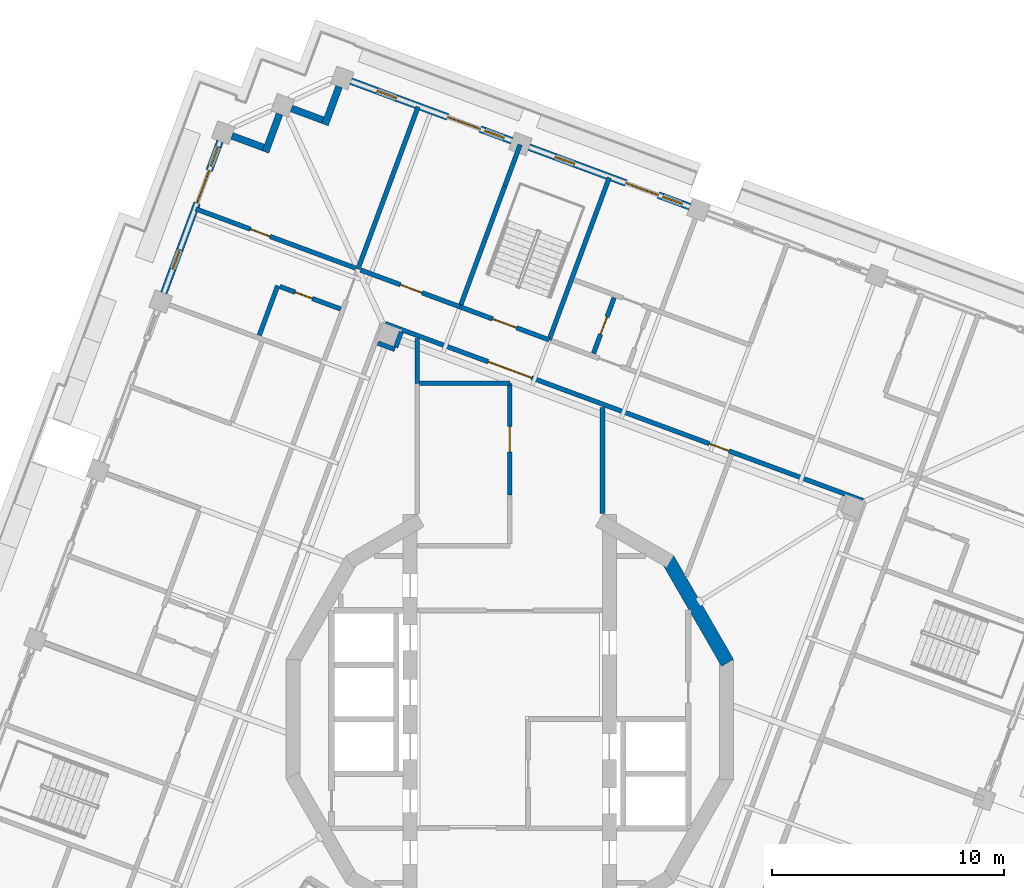
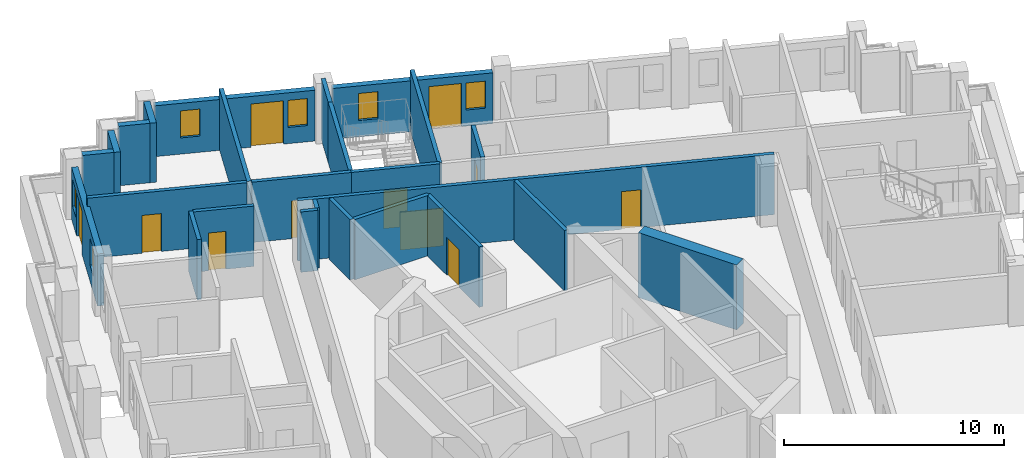
# One storey, part 8 of 19: 25 walls, 11 doors, 6 windows, 17 openings.
"""IFC4 building model written with IfcOpenShell, lengths in metres."""

from ifc_helpers import new_model, si_unit, direction, frame, frame_2d, origin, place, context, subcontext, project, spatial, rectangle, extrude, material, layer, layer_set, type_object, element, fill, save


model = new_model("IFC4")

# Units and contexts
model_context = context("Model", 3, precision=1e-05, world=origin(), true_north=direction((0.0, 1.0)))
body_context = subcontext(model_context, "Body", "Model", "MODEL_VIEW")
ifc_project = project(units=[si_unit("LENGTHUNIT", "METRE"), si_unit("AREAUNIT", "SQUARE_METRE"), si_unit("VOLUMEUNIT", "CUBIC_METRE"), si_unit("PLANEANGLEUNIT", "RADIAN"), si_unit("MASSUNIT", "GRAM", prefix="KILO")], contexts=[model_context])

# Site, building, storey
site_placement = place(None, origin())
site = spatial("IfcSite", under=ifc_project, at=site_placement, CompositionType="ELEMENT")
building_placement = place(site_placement, origin())
building = spatial("IfcBuilding", under=site, at=building_placement, Name="Cantera Rosa Tower", CompositionType="ELEMENT")
storey_placement = place(building_placement, frame((0.0, 0.0, 327.699951171875)))
storey = spatial("IfcBuildingStorey", under=building, at=storey_placement, Name="L73", CompositionType="ELEMENT", Elevation=327.699951171875)

# Wall
ifc_material_1 = material(Name="Gypsum board partition")
ifc_layer_1 = layer(ifc_material_1, 0.199951171875)
ifc_layer_set_1 = layer_set([ifc_layer_1], Name="CORRIDOR WALL 200 H3350")
wall_type_1 = type_object("IfcWallType", Name="CORRIDOR WALL 200 H3350", PredefinedType="PARTITIONING", material=ifc_layer_set_1)
wall_1_placement = place(storey_placement, frame((-4.0, 16.4326171875, 0.0), z_axis=(0.0, 0.0, 1.0), x_axis=(0.0, -1.0, 0.0)))
element("IfcWall", 1, at=wall_1_placement, inside=storey, type_object=wall_type_1, Name="CORRIDOR WALL L73-054", PredefinedType="PARTITIONING", context=body_context, shape_type="SweptSolid", body=[
    extrude(rectangle(XDim=1.9326171875, YDim=0.199951171875, at=frame_2d((0.96630859375, 0.0))), origin(), (0.0, 0.0, 1.0), 3.35009765625),
])

# Wall, opening, door
wall_2_placement = place(storey_placement, frame((-2.146728515625, 17.805419921875, 0.0), z_axis=(0.0, 0.0, 1.0), x_axis=(-0.937682514707, 0.347493167721, 0.0)))
wall_2 = element("IfcWall", 2, at=wall_2_placement, inside=storey, type_object=wall_type_1, Name="CORRIDOR WALL L73-060", PredefinedType="PARTITIONING", context=body_context, shape_type="SweptSolid", body=[
    extrude(rectangle(XDim=4.580078125, YDim=0.199951171875, at=frame_2d((2.2900390625, 0.0))), origin(), (0.0, 0.0, 1.0), 3.35009765625),
])
opening_1_placement = place(wall_2_placement, frame((1.75, 0.0, 0.0)))
opening_1 = element("IfcOpeningElement", 3, at=opening_1_placement, cuts=wall_2, Name="Opening L73-027", PredefinedType="OPENING", context=body_context, shape_type="SweptSolid", body=[
    extrude(rectangle(XDim=1.0, YDim=2.10009765625, at=frame_2d((0.5, 1.050048828125))), frame((0.0, 0.10986328125, 0.0), z_axis=(0.0, -1.0, 0.0), x_axis=(1.0, 0.0, 0.0)), (0.0, 0.0, 1.0), 0.219970703125),
])
ifc_material_2 = material(Name="Timber door leaf", Category="wood")
door_type_1 = type_object("IfcDoorType", Name="ROOM DOOR 1000x2100", OperationType="NOTDEFINED", PredefinedType="DOOR", material=ifc_material_2)
door_1_placement = place(opening_1_placement, origin())
door_1 = element("IfcDoor", 4, at=door_1_placement, inside=storey, type_object=door_type_1, Name="DOOR L73-027", OperationType="NOTDEFINED", OverallHeight=2.10009765625, OverallWidth=1.0, PredefinedType="DOOR", context=body_context, shape_type="SweptSolid", body=[
    extrude(rectangle(XDim=1.0, YDim=2.10009765625, at=frame_2d((0.5, 1.050048828125))), frame((0.0, 0.02490234375, 0.0), z_axis=(0.0, -1.0, 0.0), x_axis=(1.0, 0.0, 0.0)), (0.0, 0.0, 1.0), 0.050048828125),
])
fill(opening_1, door_1)

wall_3_placement = place(storey_placement, frame((0.0, 9.689208984375, 0.0), z_axis=(0.0, 0.0, 1.0), x_axis=(0.0, 1.0, 0.0)))
wall_3 = element("IfcWall", 5, at=wall_3_placement, inside=storey, type_object=wall_type_1, Name="CORRIDOR WALL L73-066", PredefinedType="PARTITIONING", context=body_context, shape_type="SweptSolid", body=[
    extrude(rectangle(XDim=4.810791015625, YDim=0.199951171875, at=frame_2d((2.4052734375, 0.0))), origin(), (0.0, 0.0, 1.0), 3.35009765625),
])
opening_2_placement = place(wall_3_placement, frame((1.85546875, 0.0, 0.0)))
opening_2 = element("IfcOpeningElement", 6, at=opening_2_placement, cuts=wall_3, Name="Opening L73-014", PredefinedType="OPENING", context=body_context, shape_type="SweptSolid", body=[
    extrude(rectangle(XDim=1.10009765625, YDim=2.10009765625, at=frame_2d((0.550048828125, 1.050048828125))), frame((0.0, 0.10986328125, 0.0), z_axis=(0.0, -1.0, 0.0), x_axis=(1.0, 0.0, 0.0)), (0.0, 0.0, 1.0), 0.219970703125),
])
ifc_material_3 = material(Name="Timber door leaf", Category="wood")
door_type_2 = type_object("IfcDoorType", Name="ROOM DOOR 1100x2100", OperationType="NOTDEFINED", PredefinedType="DOOR", material=ifc_material_3)
door_2_placement = place(opening_2_placement, origin())
door_2 = element("IfcDoor", 7, at=door_2_placement, inside=storey, type_object=door_type_2, Name="DOOR L73-014", OperationType="NOTDEFINED", OverallHeight=2.10009765625, OverallWidth=1.10009765625, PredefinedType="DOOR", context=body_context, shape_type="SweptSolid", body=[
    extrude(rectangle(XDim=1.10009765625, YDim=2.10009765625, at=frame_2d((0.550048828125, 1.050048828125))), frame((0.0, 0.02490234375, 0.0), z_axis=(0.0, -1.0, 0.0), x_axis=(1.0, 0.0, 0.0)), (0.0, 0.0, 1.0), 0.050048828125),
])
fill(opening_2, door_2)

# Walls
wall_4_placement = place(storey_placement, frame((0.0, 14.5, 0.0), z_axis=(0.0, 0.0, 1.0), x_axis=(-1.0, 0.0, 0.0)))
element("IfcWall", 8, at=wall_4_placement, inside=storey, type_object=wall_type_1, Name="CORRIDOR WALL L73-067", PredefinedType="PARTITIONING", context=body_context, shape_type="SweptSolid", body=[
    extrude(rectangle(XDim=3.89990234375, YDim=0.199951171875, at=frame_2d((1.949951171875, 0.0))), origin(), (0.0, 0.0, 1.0), 3.35009765625),
])
wall_5_placement = place(storey_placement, frame((4.0, 8.87890625, 0.0), z_axis=(0.0, 0.0, 1.0), x_axis=(0.0, 1.0, 0.0)))
element("IfcWall", 9, at=wall_5_placement, inside=storey, type_object=wall_type_1, Name="CORRIDOR WALL L73-079", PredefinedType="PARTITIONING", context=body_context, shape_type="SweptSolid", body=[
    extrude(rectangle(XDim=4.589111328125, YDim=0.199951171875, at=frame_2d((2.29443359375, 0.0))), origin(), (0.0, 0.0, 1.0), 3.35009765625),
])

# Wall, openings, doors
wall_6_placement = place(storey_placement, frame((15.2314453125, 9.446044921875, 0.0), z_axis=(0.0, 0.0, 1.0), x_axis=(-0.93768965935, 0.347473887864, 0.0)))
wall_6 = element("IfcWall", 10, at=wall_6_placement, inside=storey, type_object=wall_type_1, Name="CORRIDOR WALL L73-104", PredefinedType="PARTITIONING", context=body_context, shape_type="SweptSolid", body=[
    extrude(rectangle(XDim=21.97998046875, YDim=0.199951171875, at=frame_2d((10.989990234375, 0.0))), origin(), (0.0, 0.0, 1.0), 3.35009765625),
])
opening_3_placement = place(wall_6_placement, frame((6.14990234375, 0.0, 0.0)))
opening_3 = element("IfcOpeningElement", 11, at=opening_3_placement, cuts=wall_6, Name="Opening L73-008", PredefinedType="OPENING", context=body_context, shape_type="SweptSolid", body=[
    extrude(rectangle(XDim=0.89990234375, YDim=2.10009765625, at=frame_2d((0.449951171875, 1.050048828125))), frame((0.0, 0.10986328125, 0.0), z_axis=(0.0, -1.0, 0.0), x_axis=(1.0, 0.0, 0.0)), (0.0, 0.0, 1.0), 0.219970703125),
])
opening_4_placement = place(wall_6_placement, frame((15.24365234375, 0.0, 0.0)))
opening_4 = element("IfcOpeningElement", 12, at=opening_4_placement, cuts=wall_6, Name="Opening L73-009", PredefinedType="OPENING", context=body_context, shape_type="SweptSolid", body=[
    extrude(rectangle(XDim=2.0, YDim=2.10009765625, at=frame_2d((1.0, 1.050048828125))), frame((0.0, 0.10986328125, 0.0), z_axis=(0.0, -1.0, 0.0), x_axis=(1.0, 0.0, 0.0)), (0.0, 0.0, 1.0), 0.219970703125),
])
ifc_material_4 = material(Name="Steel S355J2 (EN 10025-2)", Category="steel")
door_type_3 = type_object("IfcDoorType", Name="LOBBY SCREEN DOOR 2000x2100", OperationType="NOTDEFINED", PredefinedType="DOOR", material=ifc_material_4)
door_3_placement = place(opening_4_placement, origin())
door_3 = element("IfcDoor", 13, at=door_3_placement, inside=storey, type_object=door_type_3, Name="DOOR L73-009", OperationType="NOTDEFINED", OverallHeight=2.10009765625, OverallWidth=2.0, PredefinedType="DOOR", context=body_context, shape_type="SweptSolid", body=[
    extrude(rectangle(XDim=2.0, YDim=2.10009765625, at=frame_2d((1.0, 1.050048828125))), frame((0.0, 0.02490234375, 0.0), z_axis=(0.0, -1.0, 0.0), x_axis=(1.0, 0.0, 0.0)), (0.0, 0.0, 1.0), 0.050048828125),
])
fill(opening_4, door_3)
ifc_material_5 = material(Name="Timber door leaf", Category="wood")
door_type_4 = type_object("IfcDoorType", Name="SERVICE DOOR 900x2100", OperationType="NOTDEFINED", PredefinedType="DOOR", material=ifc_material_5)
door_4_placement = place(opening_3_placement, origin())
door_4 = element("IfcDoor", 14, at=door_4_placement, inside=storey, type_object=door_type_4, Name="DOOR L73-008", OperationType="NOTDEFINED", OverallHeight=2.10009765625, OverallWidth=0.89990234375, PredefinedType="DOOR", context=body_context, shape_type="SweptSolid", body=[
    extrude(rectangle(XDim=0.89990234375, YDim=2.10009765625, at=frame_2d((0.449951171875, 1.050048828125))), frame((0.0, 0.02490234375, 0.0), z_axis=(0.0, -1.0, 0.0), x_axis=(1.0, 0.0, 0.0)), (0.0, 0.0, 1.0), 0.050048828125),
])
fill(opening_3, door_4)

# Walls
ifc_material_6 = material(Name="Hollow clay masonry with cantera stone cladding", Category="masonry")
ifc_layer_2 = layer(ifc_material_6, 0.300048828125)
ifc_layer_set_2 = layer_set([ifc_layer_2], Name="EW-LOGGIA 300")
wall_type_2 = type_object("IfcWallType", Name="EW-LOGGIA 300", PredefinedType="SOLIDWALL", material=ifc_layer_set_2)
wall_7_placement = place(storey_placement, frame((-7.36865234375, 27.312255859375, 0.0), z_axis=(0.0, 0.0, 1.0), x_axis=(-0.34752790836, -0.937669639538, 0.0)))
element("IfcWall", 15, at=wall_7_placement, inside=storey, type_object=wall_type_2, Name="EN-L73-W05a", PredefinedType="SOLIDWALL", context=body_context, shape_type="SweptSolid", body=[
    extrude(rectangle(XDim=1.75, YDim=0.300048828125, at=frame_2d((0.875, 0.0))), origin(), (0.0, 0.0, 1.0), 3.300048828125),
])
wall_8_placement = place(storey_placement, frame((-8.065185546875, 25.8642578125, 0.0), z_axis=(0.0, 0.0, 1.0), x_axis=(-0.937671557958, 0.347522732201, 0.0)))
element("IfcWall", 16, at=wall_8_placement, inside=storey, type_object=wall_type_2, Name="EN-L73-W05b", PredefinedType="SOLIDWALL", context=body_context, shape_type="SweptSolid", body=[
    extrude(rectangle(XDim=1.449951171875, YDim=0.300048828125, at=frame_2d((0.72509765625, 0.0))), origin(), (0.0, 0.0, 1.0), 3.300048828125),
])
wall_9_placement = place(storey_placement, frame((-9.93896484375, 26.132080078125, 0.0), z_axis=(0.0, 0.0, 1.0), x_axis=(-0.34748245117, -0.937686486054, 0.0)))
element("IfcWall", 17, at=wall_9_placement, inside=storey, type_object=wall_type_2, Name="EN-L73-W06a", PredefinedType="SOLIDWALL", context=body_context, shape_type="SweptSolid", body=[
    extrude(rectangle(XDim=1.750244140625, YDim=0.300048828125, at=frame_2d((0.875, 0.0))), origin(), (0.0, 0.0, 1.0), 3.300048828125),
])
wall_10_placement = place(storey_placement, frame((-10.635498046875, 24.683837890625, 0.0), z_axis=(0.0, 0.0, 1.0), x_axis=(-0.937671557958, 0.347522732201, 0.0)))
element("IfcWall", 18, at=wall_10_placement, inside=storey, type_object=wall_type_2, Name="EN-L73-W06b", PredefinedType="SOLIDWALL", context=body_context, shape_type="SweptSolid", body=[
    extrude(rectangle(XDim=1.449951171875, YDim=0.300048828125, at=frame_2d((0.72509765625, 0.0))), origin(), (0.0, 0.0, 1.0), 3.300048828125),
])

# Wall, openings, windows, door
ifc_material_7 = material(Name="Hollow clay masonry with cantera stone cladding", Category="masonry")
ifc_layer_3 = layer(ifc_material_7, 0.300048828125)
ifc_layer_set_3 = layer_set([ifc_layer_3], Name="EW-LOGGIA 300 H2820")
wall_type_3 = type_object("IfcWallType", Name="EW-LOGGIA 300 H2820", PredefinedType="SOLIDWALL", material=ifc_layer_set_3)
wall_11_placement = place(storey_placement, frame((7.7734375, 22.127685546875, 0.0), z_axis=(0.0, 0.0, 1.0), x_axis=(-0.937680690562, 0.34749808999, 0.0)))
wall_11 = element("IfcWall", 19, at=wall_11_placement, inside=storey, type_object=wall_type_3, Name="EN-L73-W03", PredefinedType="SOLIDWALL", context=body_context, shape_type="SweptSolid", body=[
    extrude(rectangle(XDim=7.400146484375, YDim=0.300048828125, at=frame_2d((3.7001953125, 0.0))), origin(), (0.0, 0.0, 1.0), 2.820068359375),
])
opening_5_placement = place(wall_11_placement, frame((0.35009765625, 0.0, 0.89990234375)))
opening_5 = element("IfcOpeningElement", 20, at=opening_5_placement, cuts=wall_11, Name="Opening L73-W07", PredefinedType="OPENING", context=body_context, shape_type="SweptSolid", body=[
    extrude(rectangle(XDim=0.89990234375, YDim=1.5, at=frame_2d((0.449951171875, 0.75))), frame((0.0, 0.159912109375, 0.0), z_axis=(0.0, -1.0, 0.0), x_axis=(1.0, 0.0, 0.0)), (0.0, 0.0, 1.0), 0.320068359375),
])
opening_6_placement = place(wall_11_placement, frame((1.449951171875, 0.0, 0.0)))
opening_6 = element("IfcOpeningElement", 21, at=opening_6_placement, cuts=wall_11, Name="Opening L73-TD08", PredefinedType="OPENING", context=body_context, shape_type="SweptSolid", body=[
    extrude(rectangle(XDim=1.5, YDim=2.39990234375, at=frame_2d((0.75, 1.199951171875))), frame((0.0, 0.159912109375, 0.0), z_axis=(0.0, -1.0, 0.0), x_axis=(1.0, 0.0, 0.0)), (0.0, 0.0, 1.0), 0.320068359375),
])
opening_7_placement = place(wall_11_placement, frame((5.300048828125, 0.0, 0.89990234375)))
opening_7 = element("IfcOpeningElement", 22, at=opening_7_placement, cuts=wall_11, Name="Opening L73-W09", PredefinedType="OPENING", context=body_context, shape_type="SweptSolid", body=[
    extrude(rectangle(XDim=0.89990234375, YDim=1.5, at=frame_2d((0.449951171875, 0.75))), frame((0.0, 0.159912109375, 0.0), z_axis=(0.0, -1.0, 0.0), x_axis=(1.0, 0.0, 0.0)), (0.0, 0.0, 1.0), 0.320068359375),
])
ifc_material_8 = material(Name="Aluminium frame with clear glass", Category="aluminium")
window_type = type_object("IfcWindowType", Name="Residential window 900x1500", PartitioningType="SINGLE_PANEL", PredefinedType="WINDOW", material=ifc_material_8)
window_1_placement = place(opening_5_placement, origin())
window_1 = element("IfcWindow", 23, at=window_1_placement, inside=storey, type_object=window_type, Name="WINDOW L73-W07", OverallHeight=1.5, OverallWidth=0.89990234375, PartitioningType="SINGLE_PANEL", PredefinedType="WINDOW", context=body_context, shape_type="SweptSolid", body=[
    extrude(rectangle(XDim=0.89990234375, YDim=1.5, at=frame_2d((0.449951171875, 0.75))), frame((0.0, 0.030029296875, 0.0), z_axis=(0.0, -1.0, 0.0), x_axis=(1.0, 0.0, 0.0)), (0.0, 0.0, 1.0), 0.06005859375),
])
fill(opening_5, window_1)
window_2_placement = place(opening_7_placement, origin())
window_2 = element("IfcWindow", 24, at=window_2_placement, inside=storey, type_object=window_type, Name="WINDOW L73-W09", OverallHeight=1.5, OverallWidth=0.89990234375, PartitioningType="SINGLE_PANEL", PredefinedType="WINDOW", context=body_context, shape_type="SweptSolid", body=[
    extrude(rectangle(XDim=0.89990234375, YDim=1.5, at=frame_2d((0.449951171875, 0.75))), frame((0.0, 0.030029296875, 0.0), z_axis=(0.0, -1.0, 0.0), x_axis=(1.0, 0.0, 0.0)), (0.0, 0.0, 1.0), 0.06005859375),
])
fill(opening_7, window_2)
ifc_material_9 = material(Name="Aluminium frame with clear glass", Category="aluminium")
door_type_5 = type_object("IfcDoorType", Name="TD-R 1500x2400", OperationType="NOTDEFINED", PredefinedType="DOOR", material=ifc_material_9)
door_5_placement = place(opening_6_placement, origin())
door_5 = element("IfcDoor", 25, at=door_5_placement, inside=storey, type_object=door_type_5, Name="LOGGIA DOOR L73-TD08", OperationType="SLIDING_TO_LEFT", OverallHeight=2.39990234375, OverallWidth=1.5, PredefinedType="DOOR", context=body_context, shape_type="SweptSolid", body=[
    extrude(rectangle(XDim=1.5, YDim=2.39990234375, at=frame_2d((0.75, 1.199951171875))), frame((0.0, 0.02490234375, 0.0), z_axis=(0.0, -1.0, 0.0), x_axis=(1.0, 0.0, 0.0)), (0.0, 0.0, 1.0), 0.050048828125),
])
fill(opening_6, door_5)

wall_12_placement = place(storey_placement, frame((0.084228515625, 24.97705078125, 0.0), z_axis=(0.0, 0.0, 1.0), x_axis=(-0.937687456783, 0.347479831633, 0.0)))
wall_12 = element("IfcWall", 26, at=wall_12_placement, inside=storey, type_object=wall_type_3, Name="EN-L73-W04", PredefinedType="SOLIDWALL", context=body_context, shape_type="SweptSolid", body=[
    extrude(rectangle(XDim=7.39990234375, YDim=0.300048828125, at=frame_2d((3.699951171875, 0.0))), origin(), (0.0, 0.0, 1.0), 2.820068359375),
])
opening_8_placement = place(wall_12_placement, frame((0.35009765625, 0.0, 0.89990234375)))
opening_8 = element("IfcOpeningElement", 27, at=opening_8_placement, cuts=wall_12, Name="Opening L73-W10", PredefinedType="OPENING", context=body_context, shape_type="SweptSolid", body=[
    extrude(rectangle(XDim=0.89990234375, YDim=1.5, at=frame_2d((0.449951171875, 0.75))), frame((0.0, 0.159912109375, 0.0), z_axis=(0.0, -1.0, 0.0), x_axis=(1.0, 0.0, 0.0)), (0.0, 0.0, 1.0), 0.320068359375),
])
opening_9_placement = place(wall_12_placement, frame((1.449951171875, 0.0, 0.0)))
opening_9 = element("IfcOpeningElement", 28, at=opening_9_placement, cuts=wall_12, Name="Opening L73-TD11", PredefinedType="OPENING", context=body_context, shape_type="SweptSolid", body=[
    extrude(rectangle(XDim=1.5, YDim=2.39990234375, at=frame_2d((0.75, 1.199951171875))), frame((0.0, 0.159912109375, 0.0), z_axis=(0.0, -1.0, 0.0), x_axis=(1.0, 0.0, 0.0)), (0.0, 0.0, 1.0), 0.320068359375),
])
opening_10_placement = place(wall_12_placement, frame((5.300048828125, 0.0, 0.89990234375)))
opening_10 = element("IfcOpeningElement", 29, at=opening_10_placement, cuts=wall_12, Name="Opening L73-W12", PredefinedType="OPENING", context=body_context, shape_type="SweptSolid", body=[
    extrude(rectangle(XDim=0.89990234375, YDim=1.5, at=frame_2d((0.449951171875, 0.75))), frame((0.0, 0.159912109375, 0.0), z_axis=(0.0, -1.0, 0.0), x_axis=(1.0, 0.0, 0.0)), (0.0, 0.0, 1.0), 0.320068359375),
])
window_3_placement = place(opening_8_placement, origin())
window_3 = element("IfcWindow", 30, at=window_3_placement, inside=storey, type_object=window_type, Name="WINDOW L73-W10", OverallHeight=1.5, OverallWidth=0.89990234375, PartitioningType="SINGLE_PANEL", PredefinedType="WINDOW", context=body_context, shape_type="SweptSolid", body=[
    extrude(rectangle(XDim=0.89990234375, YDim=1.5, at=frame_2d((0.449951171875, 0.75))), frame((0.0, 0.030029296875, 0.0), z_axis=(0.0, -1.0, 0.0), x_axis=(1.0, 0.0, 0.0)), (0.0, 0.0, 1.0), 0.06005859375),
])
fill(opening_8, window_3)
window_4_placement = place(opening_10_placement, origin())
window_4 = element("IfcWindow", 31, at=window_4_placement, inside=storey, type_object=window_type, Name="WINDOW L73-W12", OverallHeight=1.5, OverallWidth=0.89990234375, PartitioningType="SINGLE_PANEL", PredefinedType="WINDOW", context=body_context, shape_type="SweptSolid", body=[
    extrude(rectangle(XDim=0.89990234375, YDim=1.5, at=frame_2d((0.449951171875, 0.75))), frame((0.0, 0.030029296875, 0.0), z_axis=(0.0, -1.0, 0.0), x_axis=(1.0, 0.0, 0.0)), (0.0, 0.0, 1.0), 0.06005859375),
])
fill(opening_10, window_4)
door_6_placement = place(opening_9_placement, origin())
door_6 = element("IfcDoor", 32, at=door_6_placement, inside=storey, type_object=door_type_5, Name="LOGGIA DOOR L73-TD11", OperationType="SLIDING_TO_LEFT", OverallHeight=2.39990234375, OverallWidth=1.5, PredefinedType="DOOR", context=body_context, shape_type="SweptSolid", body=[
    extrude(rectangle(XDim=1.5, YDim=2.39990234375, at=frame_2d((0.75, 1.199951171875))), frame((0.0, 0.02490234375, 0.0), z_axis=(0.0, -1.0, 0.0), x_axis=(1.0, 0.0, 0.0)), (0.0, 0.0, 1.0), 0.050048828125),
])
fill(opening_9, door_6)

ifc_material_10 = material(Name="Hollow clay masonry with cantera stone cladding", Category="masonry")
ifc_layer_4 = layer(ifc_material_10, 0.300048828125)
ifc_layer_set_4 = layer_set([ifc_layer_4], Name="EW-LOGGIA 300 H2890")
wall_type_4 = type_object("IfcWallType", Name="EW-LOGGIA 300 H2890", PredefinedType="SOLIDWALL", material=ifc_layer_set_4)
wall_13_placement = place(storey_placement, frame((-12.50927734375, 24.95166015625, 0.0), z_axis=(0.0, 0.0, 1.0), x_axis=(-0.347490919506, -0.937683347864, 0.0)))
wall_13 = element("IfcWall", 33, at=wall_13_placement, inside=storey, type_object=wall_type_4, Name="EN-L73-W07", PredefinedType="SOLIDWALL", context=body_context, shape_type="SweptSolid", body=[
    extrude(rectangle(XDim=6.980224609375, YDim=0.300048828125, at=frame_2d((3.490234375, 0.0))), origin(), (0.0, 0.0, 1.0), 2.89013671875),
])
opening_11_placement = place(wall_13_placement, frame((0.2451171875, 0.0, 0.89990234375)))
opening_11 = element("IfcOpeningElement", 34, at=opening_11_placement, cuts=wall_13, Name="Opening L73-W13", PredefinedType="OPENING", context=body_context, shape_type="SweptSolid", body=[
    extrude(rectangle(XDim=0.89990234375, YDim=1.5, at=frame_2d((0.449951171875, 0.75))), frame((0.0, 0.159912109375, 0.0), z_axis=(0.0, -1.0, 0.0), x_axis=(1.0, 0.0, 0.0)), (0.0, 0.0, 1.0), 0.320068359375),
])
opening_12_placement = place(wall_13_placement, frame((1.344970703125, 0.0, 0.0)))
opening_12 = element("IfcOpeningElement", 35, at=opening_12_placement, cuts=wall_13, Name="Opening L73-TD14", PredefinedType="OPENING", context=body_context, shape_type="SweptSolid", body=[
    extrude(rectangle(XDim=1.5, YDim=2.39990234375, at=frame_2d((0.75, 1.199951171875))), frame((0.0, 0.159912109375, 0.0), z_axis=(0.0, -1.0, 0.0), x_axis=(1.0, 0.0, 0.0)), (0.0, 0.0, 1.0), 0.320068359375),
])
opening_13_placement = place(wall_13_placement, frame((4.985107421875, 0.0, 0.89990234375)))
opening_13 = element("IfcOpeningElement", 36, at=opening_13_placement, cuts=wall_13, Name="Opening L73-W15", PredefinedType="OPENING", context=body_context, shape_type="SweptSolid", body=[
    extrude(rectangle(XDim=0.89990234375, YDim=1.5, at=frame_2d((0.449951171875, 0.75))), frame((0.0, 0.159912109375, 0.0), z_axis=(0.0, -1.0, 0.0), x_axis=(1.0, 0.0, 0.0)), (0.0, 0.0, 1.0), 0.320068359375),
])
window_5_placement = place(opening_11_placement, origin())
window_5 = element("IfcWindow", 37, at=window_5_placement, inside=storey, type_object=window_type, Name="WINDOW L73-W13", OverallHeight=1.5, OverallWidth=0.89990234375, PartitioningType="SINGLE_PANEL", PredefinedType="WINDOW", context=body_context, shape_type="SweptSolid", body=[
    extrude(rectangle(XDim=0.89990234375, YDim=1.5, at=frame_2d((0.449951171875, 0.75))), frame((0.0, 0.030029296875, 0.0), z_axis=(0.0, -1.0, 0.0), x_axis=(1.0, 0.0, 0.0)), (0.0, 0.0, 1.0), 0.06005859375),
])
fill(opening_11, window_5)
window_6_placement = place(opening_13_placement, origin())
window_6 = element("IfcWindow", 38, at=window_6_placement, inside=storey, type_object=window_type, Name="WINDOW L73-W15", OverallHeight=1.5, OverallWidth=0.89990234375, PartitioningType="SINGLE_PANEL", PredefinedType="WINDOW", context=body_context, shape_type="SweptSolid", body=[
    extrude(rectangle(XDim=0.89990234375, YDim=1.5, at=frame_2d((0.449951171875, 0.75))), frame((0.0, 0.030029296875, 0.0), z_axis=(0.0, -1.0, 0.0), x_axis=(1.0, 0.0, 0.0)), (0.0, 0.0, 1.0), 0.06005859375),
])
fill(opening_13, window_6)
door_7_placement = place(opening_12_placement, origin())
door_7 = element("IfcDoor", 39, at=door_7_placement, inside=storey, type_object=door_type_5, Name="LOGGIA DOOR L73-TD14", OperationType="SLIDING_TO_LEFT", OverallHeight=2.39990234375, OverallWidth=1.5, PredefinedType="DOOR", context=body_context, shape_type="SweptSolid", body=[
    extrude(rectangle(XDim=1.5, YDim=2.39990234375, at=frame_2d((0.75, 1.199951171875))), frame((0.0, 0.02490234375, 0.0), z_axis=(0.0, -1.0, 0.0), x_axis=(1.0, 0.0, 0.0)), (0.0, 0.0, 1.0), 0.050048828125),
])
fill(opening_12, door_7)

# Wall
ifc_material_11 = material(Name="Gypsum board partition")
ifc_layer_5 = layer(ifc_material_11, 0.199951171875)
ifc_layer_set_5 = layer_set([ifc_layer_5], Name="PARTITION 200 H3350")
wall_type_5 = type_object("IfcWallType", Name="PARTITION 200 H3350", PredefinedType="PARTITIONING", material=ifc_layer_set_5)
wall_14_placement = place(storey_placement, frame((-10.8125, 16.580322265625, 0.0), z_axis=(0.0, 0.0, 1.0), x_axis=(0.347471288185, 0.937690622693, 0.0)))
element("IfcWall", 40, at=wall_14_placement, inside=storey, type_object=wall_type_5, Name="PARTITION L73-024", PredefinedType="PARTITIONING", context=body_context, shape_type="SweptSolid", body=[
    extrude(rectangle(XDim=2.280029296875, YDim=0.199951171875, at=frame_2d((1.14013671875, 0.0))), origin(), (0.0, 0.0, 1.0), 3.35009765625),
])

# Wall, opening, door
wall_15_placement = place(storey_placement, frame((-9.926513671875, 18.68359375, 0.0), z_axis=(0.0, 0.0, 1.0), x_axis=(0.937673016978, -0.347518795507, 0.0)))
wall_15 = element("IfcWall", 41, at=wall_15_placement, inside=storey, type_object=wall_type_5, Name="PARTITION L73-027", PredefinedType="PARTITIONING", context=body_context, shape_type="SweptSolid", body=[
    extrude(rectangle(XDim=2.80029296875, YDim=0.199951171875, at=frame_2d((1.400146484375, 0.0))), origin(), (0.0, 0.0, 1.0), 3.35009765625),
])
opening_14_placement = place(wall_15_placement, frame((0.699951171875, 0.0, 0.0)))
opening_14 = element("IfcOpeningElement", 42, at=opening_14_placement, cuts=wall_15, Name="Opening L73-036", PredefinedType="OPENING", context=body_context, shape_type="SweptSolid", body=[
    extrude(rectangle(XDim=0.800048828125, YDim=2.10009765625, at=frame_2d((0.39990234375, 1.050048828125))), frame((0.0, 0.10986328125, 0.0), z_axis=(0.0, -1.0, 0.0), x_axis=(1.0, 0.0, 0.0)), (0.0, 0.0, 1.0), 0.219970703125),
])
ifc_material_12 = material(Name="Timber door leaf", Category="wood")
door_type_6 = type_object("IfcDoorType", Name="BATHROOM DOOR 800x2100", OperationType="NOTDEFINED", PredefinedType="DOOR", material=ifc_material_12)
door_8_placement = place(opening_14_placement, origin())
door_8 = element("IfcDoor", 43, at=door_8_placement, inside=storey, type_object=door_type_6, Name="DOOR L73-036", OperationType="NOTDEFINED", OverallHeight=2.10009765625, OverallWidth=0.800048828125, PredefinedType="DOOR", context=body_context, shape_type="SweptSolid", body=[
    extrude(rectangle(XDim=0.800048828125, YDim=2.10009765625, at=frame_2d((0.39990234375, 1.050048828125))), frame((0.0, 0.02490234375, 0.0), z_axis=(0.0, -1.0, 0.0), x_axis=(1.0, 0.0, 0.0)), (0.0, 0.0, 1.0), 0.050048828125),
])
fill(opening_14, door_8)

wall_16_placement = place(storey_placement, frame((-6.647705078125, 19.473388671875, 0.0), z_axis=(0.0, 0.0, 1.0), x_axis=(-0.937691605032, 0.347468637221, 0.0)))
wall_16 = element("IfcWall", 44, at=wall_16_placement, inside=storey, type_object=wall_type_5, Name="PARTITION L73-037", PredefinedType="PARTITIONING", context=body_context, shape_type="SweptSolid", body=[
    extrude(rectangle(XDim=7.369873046875, YDim=0.199951171875, at=frame_2d((3.68505859375, 0.0))), origin(), (0.0, 0.0, 1.0), 3.35009765625),
])
opening_15_placement = place(wall_16_placement, frame((3.949951171875, 0.0, 0.0)))
opening_15 = element("IfcOpeningElement", 45, at=opening_15_placement, cuts=wall_16, Name="Opening L73-037", PredefinedType="OPENING", context=body_context, shape_type="SweptSolid", body=[
    extrude(rectangle(XDim=0.89990234375, YDim=2.10009765625, at=frame_2d((0.449951171875, 1.050048828125))), frame((0.0, 0.10986328125, 0.0), z_axis=(0.0, -1.0, 0.0), x_axis=(1.0, 0.0, 0.0)), (0.0, 0.0, 1.0), 0.219970703125),
])
ifc_material_13 = material(Name="Timber door leaf", Category="wood")
door_type_7 = type_object("IfcDoorType", Name="ROOM DOOR 900x2100", OperationType="NOTDEFINED", PredefinedType="DOOR", material=ifc_material_13)
door_9_placement = place(opening_15_placement, origin())
door_9 = element("IfcDoor", 46, at=door_9_placement, inside=storey, type_object=door_type_7, Name="DOOR L73-037", OperationType="NOTDEFINED", OverallHeight=2.10009765625, OverallWidth=0.89990234375, PredefinedType="DOOR", context=body_context, shape_type="SweptSolid", body=[
    extrude(rectangle(XDim=0.89990234375, YDim=2.10009765625, at=frame_2d((0.449951171875, 1.050048828125))), frame((0.0, 0.02490234375, 0.0), z_axis=(0.0, -1.0, 0.0), x_axis=(1.0, 0.0, 0.0)), (0.0, 0.0, 1.0), 0.050048828125),
])
fill(opening_15, door_9)

# Walls
wall_17_placement = place(storey_placement, frame((-5.691650390625, 16.23974609375, 0.0), z_axis=(0.0, 0.0, 1.0), x_axis=(0.93771100034, -0.347416291848, 0.0)))
element("IfcWall", 47, at=wall_17_placement, inside=storey, type_object=wall_type_5, Name="PARTITION L73-041", PredefinedType="PARTITIONING", context=body_context, shape_type="SweptSolid", body=[
    extrude(rectangle(XDim=0.780029296875, YDim=0.199951171875, at=frame_2d((0.39013671875, 0.0))), origin(), (0.0, 0.0, 1.0), 3.35009765625),
])
wall_18_placement = place(storey_placement, frame((-4.925537109375, 16.0625, 0.0), z_axis=(0.0, 0.0, 1.0), x_axis=(0.347450692477, 0.937698254396, 0.0)))
element("IfcWall", 48, at=wall_18_placement, inside=storey, type_object=wall_type_5, Name="PARTITION L73-046", PredefinedType="PARTITIONING", context=body_context, shape_type="SweptSolid", body=[
    extrude(rectangle(XDim=0.699951171875, YDim=0.199951171875, at=frame_2d((0.35009765625, 0.0))), origin(), (0.0, 0.0, 1.0), 3.35009765625),
])

# Wall, opening, door
wall_19_placement = place(storey_placement, frame((4.50439453125, 18.19873046875, 0.0), z_axis=(0.0, 0.0, 1.0), x_axis=(-0.347441707582, -0.937701583571, 0.0)))
wall_19 = element("IfcWall", 49, at=wall_19_placement, inside=storey, type_object=wall_type_5, Name="PARTITION L73-080", PredefinedType="PARTITIONING", context=body_context, shape_type="SweptSolid", body=[
    extrude(rectangle(XDim=2.559814453125, YDim=0.199951171875, at=frame_2d((1.27978515625, 0.0))), origin(), (0.0, 0.0, 1.0), 3.35009765625),
])
opening_16_placement = place(wall_19_placement, frame((0.8798828125, 0.0, 0.0)))
opening_16 = element("IfcOpeningElement", 50, at=opening_16_placement, cuts=wall_19, Name="Opening L73-022", PredefinedType="OPENING", context=body_context, shape_type="SweptSolid", body=[
    extrude(rectangle(XDim=0.800048828125, YDim=2.10009765625, at=frame_2d((0.39990234375, 1.050048828125))), frame((0.0, 0.10986328125, 0.0), z_axis=(0.0, -1.0, 0.0), x_axis=(1.0, 0.0, 0.0)), (0.0, 0.0, 1.0), 0.219970703125),
])
door_10_placement = place(opening_16_placement, origin())
door_10 = element("IfcDoor", 51, at=door_10_placement, inside=storey, type_object=door_type_6, Name="DOOR L73-022", OperationType="NOTDEFINED", OverallHeight=2.10009765625, OverallWidth=0.800048828125, PredefinedType="DOOR", context=body_context, shape_type="SweptSolid", body=[
    extrude(rectangle(XDim=0.800048828125, YDim=2.10009765625, at=frame_2d((0.39990234375, 1.050048828125))), frame((0.0, 0.02490234375, 0.0), z_axis=(0.0, -1.0, 0.0), x_axis=(1.0, 0.0, 0.0)), (0.0, 0.0, 1.0), 0.050048828125),
])
fill(opening_16, door_10)

# Walls
ifc_material_14 = material(Name="Gypsum board partition")
ifc_layer_6 = layer(ifc_material_14, 0.199951171875)
ifc_layer_set_6 = layer_set([ifc_layer_6], Name="PARTY WALL 200 H3350")
wall_type_6 = type_object("IfcWallType", Name="PARTY WALL 200 H3350", PredefinedType="PARTITIONING", material=ifc_layer_set_6)
wall_20_placement = place(storey_placement, frame((-6.5537109375, 19.438720703125, 0.0), z_axis=(0.0, 0.0, 1.0), x_axis=(0.347460186276, 0.93769473655, 0.0)))
element("IfcWall", 52, at=wall_20_placement, inside=storey, type_object=wall_type_6, Name="PARTY WALL L73-038", PredefinedType="PARTITIONING", context=body_context, shape_type="SweptSolid", body=[
    extrude(rectangle(XDim=7.4697265625, YDim=0.199951171875, at=frame_2d((3.73486328125, 0.0))), origin(), (0.0, 0.0, 1.0), 3.35009765625),
])
ifc_material_15 = material(Name="Concrete C50/60", Category="concrete")
ifc_layer_7 = layer(ifc_material_15, 0.60009765625)
ifc_layer_set_7 = layer_set([ifc_layer_7], Name="RC CORE WALL 600 C50/60")
wall_type_7 = type_object("IfcWallType", Name="RC CORE WALL 600 C50/60", PredefinedType="SHEAR", material=ifc_layer_set_7)
wall_21_placement = place(storey_placement, frame((6.811279296875, 6.921142578125, 0.0), z_axis=(0.0, 0.0, 1.0), x_axis=(0.499989188378, -0.866031645787, 0.0)))
element("IfcWall", 53, at=wall_21_placement, inside=storey, type_object=wall_type_7, Name="CW-E2 L73", PredefinedType="SHEAR", context=body_context, shape_type="SweptSolid", body=[
    extrude(rectangle(XDim=5.17626953125, YDim=0.60009765625, at=frame_2d((2.588134765625, 0.0))), origin(), (0.0, 0.0, 1.0), 3.60009765625),
])

# Wall, opening, door
ifc_material_16 = material(Name="Concrete C50/60", Category="concrete")
ifc_layer_8 = layer(ifc_material_16, 0.199951171875)
ifc_layer_set_8 = layer_set([ifc_layer_8], Name="STAIR WALL 200 H3350")
wall_type_8 = type_object("IfcWallType", Name="STAIR WALL 200 H3350", PredefinedType="SOLIDWALL", material=ifc_layer_set_8)
wall_22_placement = place(storey_placement, frame((-2.146728515625, 17.805419921875, 0.0), z_axis=(0.0, 0.0, 1.0), x_axis=(0.937694876531, -0.347459808507, 0.0)))
wall_22 = element("IfcWall", 54, at=wall_22_placement, inside=storey, type_object=wall_type_8, Name="STAIR WALL L73-061", PredefinedType="SOLIDWALL", context=body_context, shape_type="SweptSolid", body=[
    extrude(rectangle(XDim=4.099853515625, YDim=0.199951171875, at=frame_2d((2.0498046875, 0.0))), origin(), (0.0, 0.0, 1.0), 3.35009765625),
])
opening_17_placement = place(wall_22_placement, frame((1.5, 0.0, 0.0)))
opening_17 = element("IfcOpeningElement", 55, at=opening_17_placement, cuts=wall_22, Name="Opening L73-002", PredefinedType="OPENING", context=body_context, shape_type="SweptSolid", body=[
    extrude(rectangle(XDim=1.10009765625, YDim=2.10009765625, at=frame_2d((0.550048828125, 1.050048828125))), frame((0.0, 0.10986328125, 0.0), z_axis=(0.0, -1.0, 0.0), x_axis=(1.0, 0.0, 0.0)), (0.0, 0.0, 1.0), 0.219970703125),
])
ifc_material_17 = material(Name="Steel S355J2 (EN 10025-2)", Category="steel")
door_type_8 = type_object("IfcDoorType", Name="STAIR DOOR 1100x2100", OperationType="NOTDEFINED", PredefinedType="DOOR", material=ifc_material_17)
door_11_placement = place(opening_17_placement, origin())
door_11 = element("IfcDoor", 56, at=door_11_placement, inside=storey, type_object=door_type_8, Name="DOOR L73-002", OperationType="NOTDEFINED", OverallHeight=2.10009765625, OverallWidth=1.10009765625, PredefinedType="DOOR", context=body_context, shape_type="SweptSolid", body=[
    extrude(rectangle(XDim=1.10009765625, YDim=2.10009765625, at=frame_2d((0.550048828125, 1.050048828125))), frame((0.0, 0.02490234375, 0.0), z_axis=(0.0, -1.0, 0.0), x_axis=(1.0, 0.0, 0.0)), (0.0, 0.0, 1.0), 0.050048828125),
])
fill(opening_17, door_11)

# Walls
wall_23_placement = place(storey_placement, frame((0.448974609375, 24.81005859375, 0.0), z_axis=(0.0, 0.0, 1.0), x_axis=(-0.34743152672, -0.937705355771, 0.0)))
element("IfcWall", 57, at=wall_23_placement, inside=storey, type_object=wall_type_8, Name="STAIR WALL L73-068", PredefinedType="SOLIDWALL", context=body_context, shape_type="SweptSolid", body=[
    extrude(rectangle(XDim=1.900146484375, YDim=0.199951171875, at=frame_2d((0.9501953125, 0.0))), origin(), (0.0, 0.0, 1.0), 3.35009765625),
])
wall_24_placement = place(storey_placement, frame((1.69775390625, 16.380859375, 0.0), z_axis=(0.0, 0.0, 1.0), x_axis=(0.347488923611, 0.937684087509, 0.0)))
element("IfcWall", 58, at=wall_24_placement, inside=storey, type_object=wall_type_8, Name="STAIR WALL L73-072", PredefinedType="SOLIDWALL", context=body_context, shape_type="SweptSolid", body=[
    extrude(rectangle(XDim=7.469970703125, YDim=0.199951171875, at=frame_2d((3.73486328125, 0.0))), origin(), (0.0, 0.0, 1.0), 3.35009765625),
])
wall_25_placement = place(storey_placement, frame((-0.211181640625, 23.0283203125, 0.0), z_axis=(0.0, 0.0, 1.0), x_axis=(-0.347494221501, -0.937682124189, 0.0)))
element("IfcWall", 59, at=wall_25_placement, inside=storey, type_object=wall_type_8, Name="STAIR WALL L73-068 J", PredefinedType="SOLIDWALL", context=body_context, shape_type="SweptSolid", body=[
    extrude(rectangle(XDim=5.570068359375, YDim=0.199951171875, at=frame_2d((2.78515625, 0.0))), origin(), (0.0, 0.0, 1.0), 3.35009765625),
])

save(model, "model.ifc")
